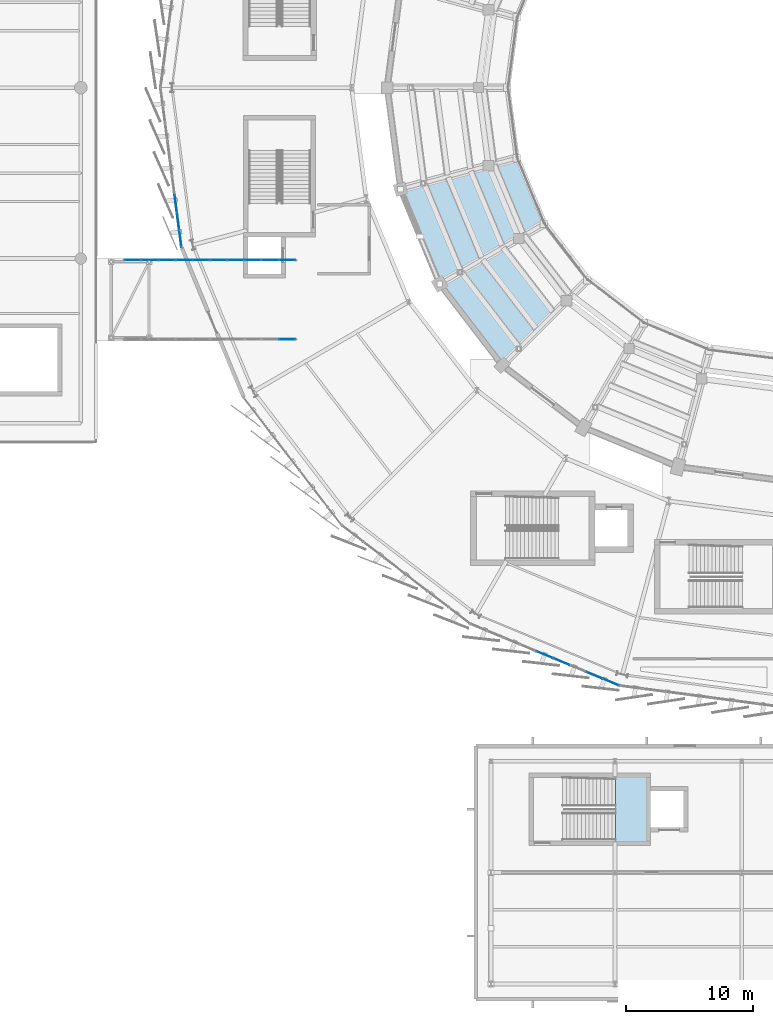
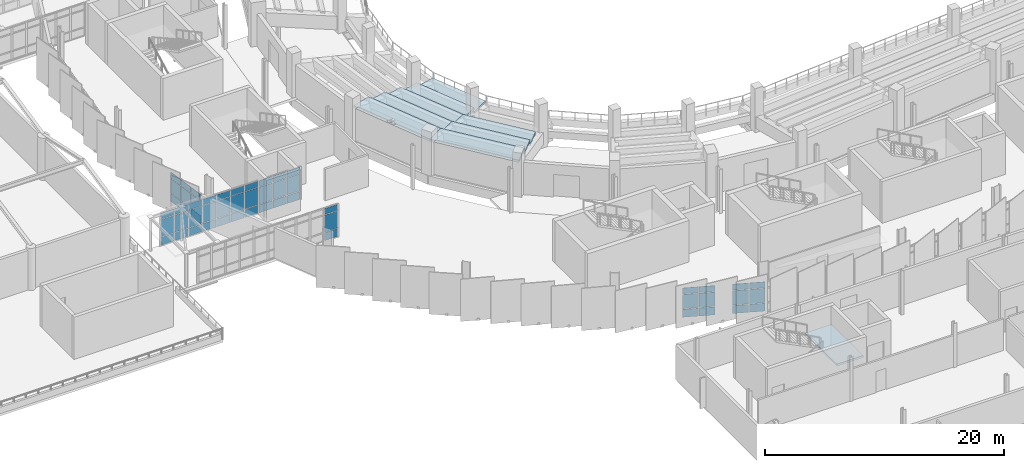
# One storey, part 78 of 120: 54 plates, 9 slabs, 5 elements without a shape of their own.
"""IFC4 building model written with IfcOpenShell, lengths in metres."""

from ifc_helpers import new_model, si_unit, direction, frame, origin, origin_2d, place, context, subcontext, project, spatial, polyline, rectangle, outline, extrude, material, layer, layer_set, type_object, element, aggregate, save


model = new_model("IFC4")

# Units and contexts
model_context = context("Model", 3, precision=1e-05, world=origin(), true_north=direction((0.0, 1.0)))
body_context = subcontext(model_context, "Body", "Model", "MODEL_VIEW")
ifc_project = project(units=[si_unit("LENGTHUNIT", "METRE"), si_unit("AREAUNIT", "SQUARE_METRE"), si_unit("VOLUMEUNIT", "CUBIC_METRE"), si_unit("PLANEANGLEUNIT", "RADIAN"), si_unit("MASSUNIT", "GRAM", prefix="KILO")], contexts=[model_context])

# Site, building, storey
site_placement = place(None, origin())
site = spatial("IfcSite", under=ifc_project, at=site_placement, CompositionType="ELEMENT")
building_placement = place(site_placement, origin())
building = spatial("IfcBuilding", under=site, at=building_placement, Name="Sohan Crest Arena", CompositionType="ELEMENT")
storey_placement = place(building_placement, frame((0.0, 0.0, 13.5)))
storey = spatial("IfcBuildingStorey", under=building, at=storey_placement, Name="L03", CompositionType="ELEMENT", Elevation=13.5)

# Curtain wall, plates
ifc_material_1 = material(Name="Thermally broken anodised aluminium", Category="aluminium")
ifc_layer_1 = layer(ifc_material_1, 0.18994140625, Name="Thermally broken anodised aluminium")
ifc_layer_set_1 = layer_set([ifc_layer_1], Name="Thermally broken anodised aluminium")
curtain_wall_type_1 = type_object("IfcCurtainWallType", Name="ARC-CW05", PredefinedType="NOTDEFINED", material=ifc_layer_set_1)
curtain_wall_1_placement = place(storey_placement, origin())
curtain_wall_1 = element("IfcCurtainWall", 1, at=curtain_wall_1_placement, inside=storey, type_object=curtain_wall_type_1, Name="Unitised curtain wall CW-229", PredefinedType="NOTDEFINED")
ifc_material_2 = material(Name="Low-E double-glazed insulated glass", Category="glass")
ifc_layer_2 = layer(ifc_material_2, 0.028076171875, Name="Low-E double-glazed insulated glass")
ifc_layer_set_2 = layer_set([ifc_layer_2], Name="Low-E double-glazed insulated glass")
plate_type_1 = type_object("IfcPlateType", Name="ARC-CNP01", PredefinedType="CURTAIN_PANEL", material=ifc_layer_set_2)
plate_1_placement = place(storey_placement, frame((59.103759765625, 58.1201171875, 0.06005859375), z_axis=(0.0, 0.0, 1.0), x_axis=(1.0, 0.0, 0.0)))
plate_1 = element("IfcPlate", 2, at=plate_1_placement, type_object=plate_type_1, Name="CW-229 panel 10.1", PredefinedType="CURTAIN_PANEL", context=body_context, shape_type="SweptSolid", body=[
    extrude(rectangle(XDim=1.262451171875, YDim=0.028076171875, at=origin_2d()), origin(), (0.0, 0.0, 1.0), 0.81005859375),
])
plate_2_placement = place(storey_placement, frame((59.103759765625, 58.1201171875, 0.93017578125), z_axis=(0.0, 0.0, 1.0), x_axis=(1.0, 0.0, 0.0)))
plate_2 = element("IfcPlate", 3, at=plate_2_placement, type_object=plate_type_1, Name="CW-229 panel 10.2", PredefinedType="CURTAIN_PANEL", context=body_context, shape_type="SweptSolid", body=[
    extrude(rectangle(XDim=1.262451171875, YDim=0.028076171875, at=origin_2d()), origin(), (0.0, 0.0, 1.0), 1.739990234375),
])
plate_3_placement = place(storey_placement, frame((59.103759765625, 58.1201171875, 2.72998046875), z_axis=(0.0, 0.0, 1.0), x_axis=(1.0, 0.0, 0.0)))
plate_3 = element("IfcPlate", 4, at=plate_3_placement, type_object=plate_type_1, Name="CW-229 panel 10.3", PredefinedType="CURTAIN_PANEL", context=body_context, shape_type="SweptSolid", body=[
    extrude(rectangle(XDim=1.262451171875, YDim=0.028076171875, at=origin_2d()), origin(), (0.0, 0.0, 1.0), 0.610107421875),
])
aggregate(curtain_wall_1, [plate_1, plate_2, plate_3])

curtain_wall_2_placement = place(storey_placement, origin())
curtain_wall_2 = element("IfcCurtainWall", 5, at=curtain_wall_2_placement, inside=storey, type_object=curtain_wall_type_1, Name="Unitised curtain wall CW-230", PredefinedType="NOTDEFINED")
plate_4_placement = place(storey_placement, frame((46.896240234375, 64.3798828125, 0.06005859375), z_axis=(0.0, 0.0, 1.0), x_axis=(1.0, 0.0, 0.0)))
plate_4 = element("IfcPlate", 6, at=plate_4_placement, type_object=plate_type_1, Name="CW-230 panel 1.1", PredefinedType="CURTAIN_PANEL", context=body_context, shape_type="SweptSolid", body=[
    extrude(rectangle(XDim=1.262451171875, YDim=0.028076171875, at=origin_2d()), origin(), (0.0, 0.0, 1.0), 0.81005859375),
])
plate_5_placement = place(storey_placement, frame((46.896240234375, 64.3798828125, 0.93017578125), z_axis=(0.0, 0.0, 1.0), x_axis=(1.0, 0.0, 0.0)))
plate_5 = element("IfcPlate", 7, at=plate_5_placement, type_object=plate_type_1, Name="CW-230 panel 1.2", PredefinedType="CURTAIN_PANEL", context=body_context, shape_type="SweptSolid", body=[
    extrude(rectangle(XDim=1.262451171875, YDim=0.028076171875, at=origin_2d()), origin(), (0.0, 0.0, 1.0), 1.739990234375),
])
plate_6_placement = place(storey_placement, frame((46.896240234375, 64.3798828125, 2.72998046875), z_axis=(0.0, 0.0, 1.0), x_axis=(1.0, 0.0, 0.0)))
plate_6 = element("IfcPlate", 8, at=plate_6_placement, type_object=plate_type_1, Name="CW-230 panel 1.3", PredefinedType="CURTAIN_PANEL", context=body_context, shape_type="SweptSolid", body=[
    extrude(rectangle(XDim=1.262451171875, YDim=0.028076171875, at=origin_2d()), origin(), (0.0, 0.0, 1.0), 0.610107421875),
])
plate_7_placement = place(storey_placement, frame((48.239990234375, 64.3798828125, 0.06005859375), z_axis=(0.0, 0.0, 1.0), x_axis=(1.0, 0.0, 0.0)))
plate_7 = element("IfcPlate", 9, at=plate_7_placement, type_object=plate_type_1, Name="CW-230 panel 2.1", PredefinedType="CURTAIN_PANEL", context=body_context, shape_type="SweptSolid", body=[
    extrude(rectangle(XDim=1.294921875, YDim=0.028076171875, at=origin_2d()), origin(), (0.0, 0.0, 1.0), 0.81005859375),
])
plate_8_placement = place(storey_placement, frame((48.239990234375, 64.3798828125, 0.93017578125), z_axis=(0.0, 0.0, 1.0), x_axis=(1.0, 0.0, 0.0)))
plate_8 = element("IfcPlate", 10, at=plate_8_placement, type_object=plate_type_1, Name="CW-230 panel 2.2", PredefinedType="CURTAIN_PANEL", context=body_context, shape_type="SweptSolid", body=[
    extrude(rectangle(XDim=1.294921875, YDim=0.028076171875, at=origin_2d()), origin(), (0.0, 0.0, 1.0), 1.739990234375),
])
plate_9_placement = place(storey_placement, frame((48.239990234375, 64.3798828125, 2.72998046875), z_axis=(0.0, 0.0, 1.0), x_axis=(1.0, 0.0, 0.0)))
plate_9 = element("IfcPlate", 11, at=plate_9_placement, type_object=plate_type_1, Name="CW-230 panel 2.3", PredefinedType="CURTAIN_PANEL", context=body_context, shape_type="SweptSolid", body=[
    extrude(rectangle(XDim=1.294921875, YDim=0.028076171875, at=origin_2d()), origin(), (0.0, 0.0, 1.0), 0.610107421875),
])
plate_10_placement = place(storey_placement, frame((49.60009765625, 64.3798828125, 0.06005859375), z_axis=(0.0, 0.0, 1.0), x_axis=(1.0, 0.0, 0.0)))
plate_10 = element("IfcPlate", 12, at=plate_10_placement, type_object=plate_type_1, Name="CW-230 panel 3.1", PredefinedType="CURTAIN_PANEL", context=body_context, shape_type="SweptSolid", body=[
    extrude(rectangle(XDim=1.294921875, YDim=0.028076171875, at=origin_2d()), origin(), (0.0, 0.0, 1.0), 0.81005859375),
])
plate_11_placement = place(storey_placement, frame((49.60009765625, 64.3798828125, 0.93017578125), z_axis=(0.0, 0.0, 1.0), x_axis=(1.0, 0.0, 0.0)))
plate_11 = element("IfcPlate", 13, at=plate_11_placement, type_object=plate_type_1, Name="CW-230 panel 3.2", PredefinedType="CURTAIN_PANEL", context=body_context, shape_type="SweptSolid", body=[
    extrude(rectangle(XDim=1.294921875, YDim=0.028076171875, at=origin_2d()), origin(), (0.0, 0.0, 1.0), 1.739990234375),
])
plate_12_placement = place(storey_placement, frame((49.60009765625, 64.3798828125, 2.72998046875), z_axis=(0.0, 0.0, 1.0), x_axis=(1.0, 0.0, 0.0)))
plate_12 = element("IfcPlate", 14, at=plate_12_placement, type_object=plate_type_1, Name="CW-230 panel 3.3", PredefinedType="CURTAIN_PANEL", context=body_context, shape_type="SweptSolid", body=[
    extrude(rectangle(XDim=1.294921875, YDim=0.028076171875, at=origin_2d()), origin(), (0.0, 0.0, 1.0), 0.610107421875),
])
plate_13_placement = place(storey_placement, frame((50.9599609375, 64.3798828125, 0.06005859375), z_axis=(0.0, 0.0, 1.0), x_axis=(1.0, 0.0, 0.0)))
plate_13 = element("IfcPlate", 15, at=plate_13_placement, type_object=plate_type_1, Name="CW-230 panel 4.1", PredefinedType="CURTAIN_PANEL", context=body_context, shape_type="SweptSolid", body=[
    extrude(rectangle(XDim=1.294921875, YDim=0.028076171875, at=origin_2d()), origin(), (0.0, 0.0, 1.0), 0.81005859375),
])
plate_14_placement = place(storey_placement, frame((50.9599609375, 64.3798828125, 0.93017578125), z_axis=(0.0, 0.0, 1.0), x_axis=(1.0, 0.0, 0.0)))
plate_14 = element("IfcPlate", 16, at=plate_14_placement, type_object=plate_type_1, Name="CW-230 panel 4.2", PredefinedType="CURTAIN_PANEL", context=body_context, shape_type="SweptSolid", body=[
    extrude(rectangle(XDim=1.294921875, YDim=0.028076171875, at=origin_2d()), origin(), (0.0, 0.0, 1.0), 1.739990234375),
])
plate_15_placement = place(storey_placement, frame((50.9599609375, 64.3798828125, 2.72998046875), z_axis=(0.0, 0.0, 1.0), x_axis=(1.0, 0.0, 0.0)))
plate_15 = element("IfcPlate", 17, at=plate_15_placement, type_object=plate_type_1, Name="CW-230 panel 4.3", PredefinedType="CURTAIN_PANEL", context=body_context, shape_type="SweptSolid", body=[
    extrude(rectangle(XDim=1.294921875, YDim=0.028076171875, at=origin_2d()), origin(), (0.0, 0.0, 1.0), 0.610107421875),
])
plate_16_placement = place(storey_placement, frame((52.320068359375, 64.3798828125, 0.06005859375), z_axis=(0.0, 0.0, 1.0), x_axis=(1.0, 0.0, 0.0)))
plate_16 = element("IfcPlate", 18, at=plate_16_placement, type_object=plate_type_1, Name="CW-230 panel 5.1", PredefinedType="CURTAIN_PANEL", context=body_context, shape_type="SweptSolid", body=[
    extrude(rectangle(XDim=1.294921875, YDim=0.028076171875, at=origin_2d()), origin(), (0.0, 0.0, 1.0), 0.81005859375),
])
plate_17_placement = place(storey_placement, frame((52.320068359375, 64.3798828125, 0.93017578125), z_axis=(0.0, 0.0, 1.0), x_axis=(1.0, 0.0, 0.0)))
plate_17 = element("IfcPlate", 19, at=plate_17_placement, type_object=plate_type_1, Name="CW-230 panel 5.2", PredefinedType="CURTAIN_PANEL", context=body_context, shape_type="SweptSolid", body=[
    extrude(rectangle(XDim=1.294921875, YDim=0.028076171875, at=origin_2d()), origin(), (0.0, 0.0, 1.0), 1.739990234375),
])
plate_18_placement = place(storey_placement, frame((52.320068359375, 64.3798828125, 2.72998046875), z_axis=(0.0, 0.0, 1.0), x_axis=(1.0, 0.0, 0.0)))
plate_18 = element("IfcPlate", 20, at=plate_18_placement, type_object=plate_type_1, Name="CW-230 panel 5.3", PredefinedType="CURTAIN_PANEL", context=body_context, shape_type="SweptSolid", body=[
    extrude(rectangle(XDim=1.294921875, YDim=0.028076171875, at=origin_2d()), origin(), (0.0, 0.0, 1.0), 0.610107421875),
])
plate_19_placement = place(storey_placement, frame((53.679931640625, 64.3798828125, 0.06005859375), z_axis=(0.0, 0.0, 1.0), x_axis=(1.0, 0.0, 0.0)))
plate_19 = element("IfcPlate", 21, at=plate_19_placement, type_object=plate_type_1, Name="CW-230 panel 6.1", PredefinedType="CURTAIN_PANEL", context=body_context, shape_type="SweptSolid", body=[
    extrude(rectangle(XDim=1.294921875, YDim=0.028076171875, at=origin_2d()), origin(), (0.0, 0.0, 1.0), 0.81005859375),
])
plate_20_placement = place(storey_placement, frame((53.679931640625, 64.3798828125, 0.93017578125), z_axis=(0.0, 0.0, 1.0), x_axis=(1.0, 0.0, 0.0)))
plate_20 = element("IfcPlate", 22, at=plate_20_placement, type_object=plate_type_1, Name="CW-230 panel 6.2", PredefinedType="CURTAIN_PANEL", context=body_context, shape_type="SweptSolid", body=[
    extrude(rectangle(XDim=1.294921875, YDim=0.028076171875, at=origin_2d()), origin(), (0.0, 0.0, 1.0), 1.739990234375),
])
plate_21_placement = place(storey_placement, frame((53.679931640625, 64.3798828125, 2.72998046875), z_axis=(0.0, 0.0, 1.0), x_axis=(1.0, 0.0, 0.0)))
plate_21 = element("IfcPlate", 23, at=plate_21_placement, type_object=plate_type_1, Name="CW-230 panel 6.3", PredefinedType="CURTAIN_PANEL", context=body_context, shape_type="SweptSolid", body=[
    extrude(rectangle(XDim=1.294921875, YDim=0.028076171875, at=origin_2d()), origin(), (0.0, 0.0, 1.0), 0.610107421875),
])
plate_22_placement = place(storey_placement, frame((55.0400390625, 64.3798828125, 0.06005859375), z_axis=(0.0, 0.0, 1.0), x_axis=(1.0, 0.0, 0.0)))
plate_22 = element("IfcPlate", 24, at=plate_22_placement, type_object=plate_type_1, Name="CW-230 panel 7.1", PredefinedType="CURTAIN_PANEL", context=body_context, shape_type="SweptSolid", body=[
    extrude(rectangle(XDim=1.294921875, YDim=0.028076171875, at=origin_2d()), origin(), (0.0, 0.0, 1.0), 0.81005859375),
])
plate_23_placement = place(storey_placement, frame((55.0400390625, 64.3798828125, 0.93017578125), z_axis=(0.0, 0.0, 1.0), x_axis=(1.0, 0.0, 0.0)))
plate_23 = element("IfcPlate", 25, at=plate_23_placement, type_object=plate_type_1, Name="CW-230 panel 7.2", PredefinedType="CURTAIN_PANEL", context=body_context, shape_type="SweptSolid", body=[
    extrude(rectangle(XDim=1.294921875, YDim=0.028076171875, at=origin_2d()), origin(), (0.0, 0.0, 1.0), 1.739990234375),
])
plate_24_placement = place(storey_placement, frame((55.0400390625, 64.3798828125, 2.72998046875), z_axis=(0.0, 0.0, 1.0), x_axis=(1.0, 0.0, 0.0)))
plate_24 = element("IfcPlate", 26, at=plate_24_placement, type_object=plate_type_1, Name="CW-230 panel 7.3", PredefinedType="CURTAIN_PANEL", context=body_context, shape_type="SweptSolid", body=[
    extrude(rectangle(XDim=1.294921875, YDim=0.028076171875, at=origin_2d()), origin(), (0.0, 0.0, 1.0), 0.610107421875),
])
plate_25_placement = place(storey_placement, frame((56.39990234375, 64.3798828125, 0.06005859375), z_axis=(0.0, 0.0, 1.0), x_axis=(1.0, 0.0, 0.0)))
plate_25 = element("IfcPlate", 27, at=plate_25_placement, type_object=plate_type_1, Name="CW-230 panel 8.1", PredefinedType="CURTAIN_PANEL", context=body_context, shape_type="SweptSolid", body=[
    extrude(rectangle(XDim=1.294921875, YDim=0.028076171875, at=origin_2d()), origin(), (0.0, 0.0, 1.0), 0.81005859375),
])
plate_26_placement = place(storey_placement, frame((56.39990234375, 64.3798828125, 0.93017578125), z_axis=(0.0, 0.0, 1.0), x_axis=(1.0, 0.0, 0.0)))
plate_26 = element("IfcPlate", 28, at=plate_26_placement, type_object=plate_type_1, Name="CW-230 panel 8.2", PredefinedType="CURTAIN_PANEL", context=body_context, shape_type="SweptSolid", body=[
    extrude(rectangle(XDim=1.294921875, YDim=0.028076171875, at=origin_2d()), origin(), (0.0, 0.0, 1.0), 1.739990234375),
])
plate_27_placement = place(storey_placement, frame((56.39990234375, 64.3798828125, 2.72998046875), z_axis=(0.0, 0.0, 1.0), x_axis=(1.0, 0.0, 0.0)))
plate_27 = element("IfcPlate", 29, at=plate_27_placement, type_object=plate_type_1, Name="CW-230 panel 8.3", PredefinedType="CURTAIN_PANEL", context=body_context, shape_type="SweptSolid", body=[
    extrude(rectangle(XDim=1.294921875, YDim=0.028076171875, at=origin_2d()), origin(), (0.0, 0.0, 1.0), 0.610107421875),
])
plate_28_placement = place(storey_placement, frame((57.760009765625, 64.3798828125, 0.06005859375), z_axis=(0.0, 0.0, 1.0), x_axis=(1.0, 0.0, 0.0)))
plate_28 = element("IfcPlate", 30, at=plate_28_placement, type_object=plate_type_1, Name="CW-230 panel 9.1", PredefinedType="CURTAIN_PANEL", context=body_context, shape_type="SweptSolid", body=[
    extrude(rectangle(XDim=1.294921875, YDim=0.028076171875, at=origin_2d()), origin(), (0.0, 0.0, 1.0), 0.81005859375),
])
plate_29_placement = place(storey_placement, frame((57.760009765625, 64.3798828125, 0.93017578125), z_axis=(0.0, 0.0, 1.0), x_axis=(1.0, 0.0, 0.0)))
plate_29 = element("IfcPlate", 31, at=plate_29_placement, type_object=plate_type_1, Name="CW-230 panel 9.2", PredefinedType="CURTAIN_PANEL", context=body_context, shape_type="SweptSolid", body=[
    extrude(rectangle(XDim=1.294921875, YDim=0.028076171875, at=origin_2d()), origin(), (0.0, 0.0, 1.0), 1.739990234375),
])
plate_30_placement = place(storey_placement, frame((57.760009765625, 64.3798828125, 2.72998046875), z_axis=(0.0, 0.0, 1.0), x_axis=(1.0, 0.0, 0.0)))
plate_30 = element("IfcPlate", 32, at=plate_30_placement, type_object=plate_type_1, Name="CW-230 panel 9.3", PredefinedType="CURTAIN_PANEL", context=body_context, shape_type="SweptSolid", body=[
    extrude(rectangle(XDim=1.294921875, YDim=0.028076171875, at=origin_2d()), origin(), (0.0, 0.0, 1.0), 0.610107421875),
])
plate_31_placement = place(storey_placement, frame((59.103759765625, 64.3798828125, 0.06005859375), z_axis=(0.0, 0.0, 1.0), x_axis=(1.0, 0.0, 0.0)))
plate_31 = element("IfcPlate", 33, at=plate_31_placement, type_object=plate_type_1, Name="CW-230 panel 10.1", PredefinedType="CURTAIN_PANEL", context=body_context, shape_type="SweptSolid", body=[
    extrude(rectangle(XDim=1.262451171875, YDim=0.028076171875, at=origin_2d()), origin(), (0.0, 0.0, 1.0), 0.81005859375),
])
plate_32_placement = place(storey_placement, frame((59.103759765625, 64.3798828125, 0.93017578125), z_axis=(0.0, 0.0, 1.0), x_axis=(1.0, 0.0, 0.0)))
plate_32 = element("IfcPlate", 34, at=plate_32_placement, type_object=plate_type_1, Name="CW-230 panel 10.2", PredefinedType="CURTAIN_PANEL", context=body_context, shape_type="SweptSolid", body=[
    extrude(rectangle(XDim=1.262451171875, YDim=0.028076171875, at=origin_2d()), origin(), (0.0, 0.0, 1.0), 1.739990234375),
])
plate_33_placement = place(storey_placement, frame((59.103759765625, 64.3798828125, 2.72998046875), z_axis=(0.0, 0.0, 1.0), x_axis=(1.0, 0.0, 0.0)))
plate_33 = element("IfcPlate", 35, at=plate_33_placement, type_object=plate_type_1, Name="CW-230 panel 10.3", PredefinedType="CURTAIN_PANEL", context=body_context, shape_type="SweptSolid", body=[
    extrude(rectangle(XDim=1.262451171875, YDim=0.028076171875, at=origin_2d()), origin(), (0.0, 0.0, 1.0), 0.610107421875),
])
aggregate(curtain_wall_2, [plate_4, plate_5, plate_6, plate_7, plate_8, plate_9, plate_10, plate_11, plate_12, plate_13, plate_14, plate_15, plate_16, plate_17, plate_18, plate_19, plate_20, plate_21, plate_22, plate_23, plate_24, plate_25, plate_26, plate_27, plate_28, plate_29, plate_30, plate_31, plate_32, plate_33])

ifc_layer_3 = layer(ifc_material_1, 0.179931640625, Name="Thermally broken anodised aluminium")
ifc_layer_set_3 = layer_set([ifc_layer_3], Name="Thermally broken anodised aluminium")
curtain_wall_type_2 = type_object("IfcCurtainWallType", Name="ARC-CW01", PredefinedType="NOTDEFINED", material=ifc_layer_set_3)
curtain_wall_3_placement = place(storey_placement, origin())
curtain_wall_3 = element("IfcCurtainWall", 36, at=curtain_wall_3_placement, inside=storey, type_object=curtain_wall_type_2, Name="Unitised curtain wall CW-085", PredefinedType="NOTDEFINED")
ifc_material_3 = material(Name="Ceramic-fritted solar-control insulated glass", Category="glass")
ifc_layer_4 = layer(ifc_material_3, 0.035888671875, Name="Ceramic-fritted solar-control insulated glass")
ifc_layer_set_4 = layer_set([ifc_layer_4], Name="Ceramic-fritted solar-control insulated glass")
plate_type_2 = type_object("IfcPlateType", Name="ARC-CNP03", PredefinedType="CURTAIN_PANEL", material=ifc_layer_set_4)
plate_34_placement = place(storey_placement, frame((50.30322265625, 68.859619140625, 0.06005859375), z_axis=(0.0, 0.0, 1.0), x_axis=(0.130511252817, -0.991446828069, 0.0)))
plate_34 = element("IfcPlate", 37, at=plate_34_placement, type_object=plate_type_2, Name="CW-085 panel 7.1", PredefinedType="CURTAIN_PANEL", context=body_context, shape_type="SweptSolid", body=[
    extrude(rectangle(XDim=1.348388671875, YDim=0.035888671875, at=origin_2d()), origin(), (0.0, 0.0, 1.0), 0.81005859375),
])
plate_35_placement = place(storey_placement, frame((50.30322265625, 68.859619140625, 0.929931640625), z_axis=(0.0, 0.0, 1.0), x_axis=(0.130511252817, -0.991446828069, 0.0)))
plate_35 = element("IfcPlate", 38, at=plate_35_placement, type_object=plate_type_2, Name="CW-085 panel 7.2", PredefinedType="CURTAIN_PANEL", context=body_context, shape_type="SweptSolid", body=[
    extrude(rectangle(XDim=1.348388671875, YDim=0.035888671875, at=origin_2d()), origin(), (0.0, 0.0, 1.0), 1.4599609375),
])
plate_36_placement = place(storey_placement, frame((50.30322265625, 68.859619140625, 2.44970703125), z_axis=(0.0, 0.0, 1.0), x_axis=(0.130511252817, -0.991446828069, 0.0)))
plate_36 = element("IfcPlate", 39, at=plate_36_placement, type_object=plate_type_2, Name="CW-085 panel 7.3", PredefinedType="CURTAIN_PANEL", context=body_context, shape_type="SweptSolid", body=[
    extrude(rectangle(XDim=1.348388671875, YDim=0.035888671875, at=origin_2d()), origin(), (0.0, 0.0, 1.0), 0.610107421875),
])
plate_37_placement = place(storey_placement, frame((50.48828125, 67.453369140625, 0.06005859375), z_axis=(0.0, 0.0, 1.0), x_axis=(0.130511252817, -0.991446828069, 0.0)))
plate_37 = element("IfcPlate", 40, at=plate_37_placement, type_object=plate_type_2, Name="CW-085 panel 8.1", PredefinedType="CURTAIN_PANEL", context=body_context, shape_type="SweptSolid", body=[
    extrude(rectangle(XDim=1.348388671875, YDim=0.035888671875, at=origin_2d()), origin(), (0.0, 0.0, 1.0), 0.81005859375),
])
plate_38_placement = place(storey_placement, frame((50.48828125, 67.453369140625, 0.929931640625), z_axis=(0.0, 0.0, 1.0), x_axis=(0.130511252817, -0.991446828069, 0.0)))
plate_38 = element("IfcPlate", 41, at=plate_38_placement, type_object=plate_type_2, Name="CW-085 panel 8.2", PredefinedType="CURTAIN_PANEL", context=body_context, shape_type="SweptSolid", body=[
    extrude(rectangle(XDim=1.348388671875, YDim=0.035888671875, at=origin_2d()), origin(), (0.0, 0.0, 1.0), 1.4599609375),
])
plate_39_placement = place(storey_placement, frame((50.48828125, 67.453369140625, 2.44970703125), z_axis=(0.0, 0.0, 1.0), x_axis=(0.130511252817, -0.991446828069, 0.0)))
plate_39 = element("IfcPlate", 42, at=plate_39_placement, type_object=plate_type_2, Name="CW-085 panel 8.3", PredefinedType="CURTAIN_PANEL", context=body_context, shape_type="SweptSolid", body=[
    extrude(rectangle(XDim=1.348388671875, YDim=0.035888671875, at=origin_2d()), origin(), (0.0, 0.0, 1.0), 0.610107421875),
])
plate_40_placement = place(storey_placement, frame((50.671142578125, 66.064453125, 0.06005859375), z_axis=(0.0, 0.0, 1.0), x_axis=(0.130511252817, -0.991446828069, 0.0)))
plate_40 = element("IfcPlate", 43, at=plate_40_placement, type_object=plate_type_2, Name="CW-085 panel 9.1", PredefinedType="CURTAIN_PANEL", context=body_context, shape_type="SweptSolid", body=[
    extrude(rectangle(XDim=1.313232421875, YDim=0.035888671875, at=origin_2d()), origin(), (0.0, 0.0, 1.0), 0.81005859375),
])
plate_41_placement = place(storey_placement, frame((50.671142578125, 66.064453125, 0.929931640625), z_axis=(0.0, 0.0, 1.0), x_axis=(0.130511252817, -0.991446828069, 0.0)))
plate_41 = element("IfcPlate", 44, at=plate_41_placement, type_object=plate_type_2, Name="CW-085 panel 9.2", PredefinedType="CURTAIN_PANEL", context=body_context, shape_type="SweptSolid", body=[
    extrude(rectangle(XDim=1.313232421875, YDim=0.035888671875, at=origin_2d()), origin(), (0.0, 0.0, 1.0), 1.4599609375),
])
plate_42_placement = place(storey_placement, frame((50.671142578125, 66.064453125, 2.44970703125), z_axis=(0.0, 0.0, 1.0), x_axis=(0.130511252817, -0.991446828069, 0.0)))
plate_42 = element("IfcPlate", 45, at=plate_42_placement, type_object=plate_type_2, Name="CW-085 panel 9.3", PredefinedType="CURTAIN_PANEL", context=body_context, shape_type="SweptSolid", body=[
    extrude(rectangle(XDim=1.313232421875, YDim=0.035888671875, at=origin_2d()), origin(), (0.0, 0.0, 1.0), 0.610107421875),
])
aggregate(curtain_wall_3, [plate_34, plate_35, plate_36, plate_37, plate_38, plate_39, plate_40, plate_41, plate_42])

curtain_wall_4_placement = place(storey_placement, origin())
curtain_wall_4 = element("IfcCurtainWall", 46, at=curtain_wall_4_placement, inside=storey, type_object=curtain_wall_type_1, Name="Unitised curtain wall CW-088", PredefinedType="NOTDEFINED")
plate_43_placement = place(storey_placement, frame((79.447021484375, 33.20849609375, 0.06494140625), z_axis=(0.0, 0.0, 1.0), x_axis=(0.923886034074, -0.382667735827, 0.0)))
plate_43 = element("IfcPlate", 47, at=plate_43_placement, type_object=plate_type_2, Name="CW-088 panel 5.1", PredefinedType="CURTAIN_PANEL", context=body_context, shape_type="SweptSolid", body=[
    extrude(rectangle(XDim=1.348388671875, YDim=0.035888671875, at=origin_2d()), origin(), (0.0, 0.0, 1.0), 0.802490234375),
])
plate_44_placement = place(storey_placement, frame((79.447021484375, 33.20849609375, 0.932373046875), z_axis=(0.0, 0.0, 1.0), x_axis=(0.923886034074, -0.382667735827, 0.0)))
plate_44 = element("IfcPlate", 48, at=plate_44_placement, type_object=plate_type_2, Name="CW-088 panel 5.2", PredefinedType="CURTAIN_PANEL", context=body_context, shape_type="SweptSolid", body=[
    extrude(rectangle(XDim=1.348388671875, YDim=0.035888671875, at=origin_2d()), origin(), (0.0, 0.0, 1.0), 1.455078125),
])
plate_45_placement = place(storey_placement, frame((79.447021484375, 33.20849609375, 2.452392578125), z_axis=(0.0, 0.0, 1.0), x_axis=(0.923886034074, -0.382667735827, 0.0)))
plate_45 = element("IfcPlate", 49, at=plate_45_placement, type_object=plate_type_2, Name="CW-088 panel 5.3", PredefinedType="CURTAIN_PANEL", context=body_context, shape_type="SweptSolid", body=[
    extrude(rectangle(XDim=1.348388671875, YDim=0.035888671875, at=origin_2d()), origin(), (0.0, 0.0, 1.0), 0.6025390625),
])
plate_46_placement = place(storey_placement, frame((80.75732421875, 32.665771484375, 0.06494140625), z_axis=(0.0, 0.0, 1.0), x_axis=(0.923886034074, -0.382667735827, 0.0)))
plate_46 = element("IfcPlate", 50, at=plate_46_placement, type_object=plate_type_2, Name="CW-088 panel 6.1", PredefinedType="CURTAIN_PANEL", context=body_context, shape_type="SweptSolid", body=[
    extrude(rectangle(XDim=1.348388671875, YDim=0.035888671875, at=origin_2d()), origin(), (0.0, 0.0, 1.0), 0.802490234375),
])
plate_47_placement = place(storey_placement, frame((80.75732421875, 32.665771484375, 0.932373046875), z_axis=(0.0, 0.0, 1.0), x_axis=(0.923886034074, -0.382667735827, 0.0)))
plate_47 = element("IfcPlate", 51, at=plate_47_placement, type_object=plate_type_2, Name="CW-088 panel 6.2", PredefinedType="CURTAIN_PANEL", context=body_context, shape_type="SweptSolid", body=[
    extrude(rectangle(XDim=1.348388671875, YDim=0.035888671875, at=origin_2d()), origin(), (0.0, 0.0, 1.0), 1.455078125),
])
plate_48_placement = place(storey_placement, frame((80.75732421875, 32.665771484375, 2.452392578125), z_axis=(0.0, 0.0, 1.0), x_axis=(0.923886034074, -0.382667735827, 0.0)))
plate_48 = element("IfcPlate", 52, at=plate_48_placement, type_object=plate_type_2, Name="CW-088 panel 6.3", PredefinedType="CURTAIN_PANEL", context=body_context, shape_type="SweptSolid", body=[
    extrude(rectangle(XDim=1.348388671875, YDim=0.035888671875, at=origin_2d()), origin(), (0.0, 0.0, 1.0), 0.6025390625),
])
plate_49_placement = place(storey_placement, frame((83.37841796875, 31.580078125, 0.06494140625), z_axis=(0.0, 0.0, 1.0), x_axis=(0.923886034074, -0.382667735827, 0.0)))
plate_49 = element("IfcPlate", 53, at=plate_49_placement, type_object=plate_type_2, Name="CW-088 panel 8.1", PredefinedType="CURTAIN_PANEL", context=body_context, shape_type="SweptSolid", body=[
    extrude(rectangle(XDim=1.348388671875, YDim=0.035888671875, at=origin_2d()), origin(), (0.0, 0.0, 1.0), 0.802490234375),
])
plate_50_placement = place(storey_placement, frame((83.37841796875, 31.580078125, 0.932373046875), z_axis=(0.0, 0.0, 1.0), x_axis=(0.923886034074, -0.382667735827, 0.0)))
plate_50 = element("IfcPlate", 54, at=plate_50_placement, type_object=plate_type_2, Name="CW-088 panel 8.2", PredefinedType="CURTAIN_PANEL", context=body_context, shape_type="SweptSolid", body=[
    extrude(rectangle(XDim=1.348388671875, YDim=0.035888671875, at=origin_2d()), origin(), (0.0, 0.0, 1.0), 1.455078125),
])
plate_51_placement = place(storey_placement, frame((83.37841796875, 31.580078125, 2.452392578125), z_axis=(0.0, 0.0, 1.0), x_axis=(0.923886034074, -0.382667735827, 0.0)))
plate_51 = element("IfcPlate", 55, at=plate_51_placement, type_object=plate_type_2, Name="CW-088 panel 8.3", PredefinedType="CURTAIN_PANEL", context=body_context, shape_type="SweptSolid", body=[
    extrude(rectangle(XDim=1.348388671875, YDim=0.035888671875, at=origin_2d()), origin(), (0.0, 0.0, 1.0), 0.6025390625),
])
plate_52_placement = place(storey_placement, frame((84.672607421875, 31.044189453125, 0.06494140625), z_axis=(0.0, 0.0, 1.0), x_axis=(0.923886034074, -0.382667735827, 0.0)))
plate_52 = element("IfcPlate", 56, at=plate_52_placement, type_object=plate_type_2, Name="CW-088 panel 9.1", PredefinedType="CURTAIN_PANEL", context=body_context, shape_type="SweptSolid", body=[
    extrude(rectangle(XDim=1.3134765625, YDim=0.035888671875, at=origin_2d()), origin(), (0.0, 0.0, 1.0), 0.802490234375),
])
plate_53_placement = place(storey_placement, frame((84.672607421875, 31.044189453125, 0.932373046875), z_axis=(0.0, 0.0, 1.0), x_axis=(0.923886034074, -0.382667735827, 0.0)))
plate_53 = element("IfcPlate", 57, at=plate_53_placement, type_object=plate_type_2, Name="CW-088 panel 9.2", PredefinedType="CURTAIN_PANEL", context=body_context, shape_type="SweptSolid", body=[
    extrude(rectangle(XDim=1.3134765625, YDim=0.035888671875, at=origin_2d()), origin(), (0.0, 0.0, 1.0), 1.455078125),
])
plate_54_placement = place(storey_placement, frame((84.672607421875, 31.044189453125, 2.452392578125), z_axis=(0.0, 0.0, 1.0), x_axis=(0.923886034074, -0.382667735827, 0.0)))
plate_54 = element("IfcPlate", 58, at=plate_54_placement, type_object=plate_type_2, Name="CW-088 panel 9.3", PredefinedType="CURTAIN_PANEL", context=body_context, shape_type="SweptSolid", body=[
    extrude(rectangle(XDim=1.3134765625, YDim=0.035888671875, at=origin_2d()), origin(), (0.0, 0.0, 1.0), 0.6025390625),
])
aggregate(curtain_wall_4, [plate_43, plate_44, plate_45, plate_46, plate_47, plate_48, plate_49, plate_50, plate_51, plate_52, plate_53, plate_54])

# Stair, slab
ifc_material_4 = material(Name="Concrete C40/50", Category="concrete")
stair_type = type_object("IfcStairType", Name="ST-450W", PredefinedType="TWO_STRAIGHT_RUN_STAIR", material=ifc_material_4)
stair_placement = place(storey_placement, origin())
stair = element("IfcStair", 59, at=stair_placement, inside=storey, type_object=stair_type, Name="Protected exit stair ST17-L03", PredefinedType="TWO_STRAIGHT_RUN_STAIR")
ifc_layer_5 = layer(ifc_material_4, 0.199951171875, Name="Concrete C40/50")
ifc_layer_set_5 = layer_set([ifc_layer_5], Name="Concrete C40/50")
slab_type_1 = type_object("IfcSlabType", Name="SL-LND1", PredefinedType="LANDING", material=ifc_layer_set_5)
slab_1_placement = place(storey_placement, frame((0.0, 0.0, 2.050048828125)))
slab_1 = element("IfcSlab", 60, at=slab_1_placement, type_object=slab_type_1, Name="ST17-L03 landing 1", PredefinedType="LANDING", context=body_context, shape_type="SweptSolid", body=[
    extrude(outline(polyline([(85.030029296875, 18.35009765625), (87.60009765625, 18.35009765625), (87.60009765625, 23.64990234375), (85.030029296875, 23.64990234375), (85.030029296875, 18.35009765625)])), origin(), (0.0, 0.0, 1.0), 0.199951171875),
])
aggregate(stair, [slab_1])

# Slabs
ifc_material_5 = material(Name="Precast concrete C50/60", Category="concrete")
ifc_layer_6 = layer(ifc_material_5, 0.205078125, Name="Precast concrete C50/60")
ifc_layer_set_6 = layer_set([ifc_layer_6], Name="Precast concrete C50/60")
slab_type_2 = type_object("IfcSlabType", Name="SL-TIER2", PredefinedType="USERDEFINED", material=ifc_layer_set_6)
slab_2_placement = place(storey_placement, frame((0.0, 0.0, 1.2109375)))
element("IfcSlab", 61, at=slab_2_placement, inside=storey, type_object=slab_type_2, Name="Upper cantilevered precast seating tier ST-UPP-064", ObjectType="SEATING TIER", PredefinedType="USERDEFINED", context=body_context, shape_type="SweptSolid", body=[
    extrude(outline(polyline([(77.23291015625, 72.512939453125), (79.381103515625, 67.39990234375), (77.801025390625, 66.458984375), (75.470947265625, 72.02587890625), (77.23291015625, 72.512939453125)])), origin(), (0.0, 0.0, 1.0), 0.205078125),
])
slab_3_placement = place(storey_placement, frame((0.0, 0.0, 1.6708984375)))
element("IfcSlab", 62, at=slab_3_placement, inside=storey, type_object=slab_type_2, Name="Upper cantilevered precast seating tier ST-UPP-065", ObjectType="SEATING TIER", PredefinedType="USERDEFINED", context=body_context, shape_type="SweptSolid", body=[
    extrude(outline(polyline([(75.39697265625, 72.006103515625), (77.735107421875, 66.419921875), (76.156005859375, 65.47900390625), (73.635009765625, 71.51904296875), (75.39697265625, 72.006103515625)])), origin(), (0.0, 0.0, 1.0), 0.205078125),
])
ifc_layer_7 = layer(ifc_material_5, 0.235107421875, Name="Precast concrete C50/60")
ifc_layer_set_7 = layer_set([ifc_layer_7], Name="Precast concrete C50/60")
slab_type_3 = type_object("IfcSlabType", Name="SL-TIER3", PredefinedType="USERDEFINED", material=ifc_layer_set_7)
slab_4_placement = place(storey_placement, frame((0.0, 0.0, 2.131103515625)))
element("IfcSlab", 63, at=slab_4_placement, inside=storey, type_object=slab_type_3, Name="Upper cantilevered precast seating tier ST-UPP-066", ObjectType="SEATING TIER", PredefinedType="USERDEFINED", context=body_context, shape_type="SweptSolid", body=[
    extrude(outline(polyline([(73.56201171875, 71.4990234375), (76.090087890625, 65.43994140625), (74.510009765625, 64.4990234375), (71.800048828125, 71.011962890625), (73.56201171875, 71.4990234375)])), origin(), (0.0, 0.0, 1.0), 0.23486328125),
])
slab_5_placement = place(storey_placement, frame((0.0, 0.0, 2.591064453125)))
element("IfcSlab", 64, at=slab_5_placement, inside=storey, type_object=slab_type_3, Name="Upper cantilevered precast seating tier ST-UPP-067", ObjectType="SEATING TIER", PredefinedType="USERDEFINED", context=body_context, shape_type="SweptSolid", body=[
    extrude(outline(polyline([(71.72705078125, 70.990966796875), (74.444091796875, 64.4599609375), (72.864013671875, 63.51904296875), (69.965087890625, 70.50390625), (71.72705078125, 70.990966796875)])), origin(), (0.0, 0.0, 1.0), 0.23486328125),
])
slab_6_placement = place(storey_placement, frame((0.0, 0.0, 3.051025390625)))
element("IfcSlab", 65, at=slab_6_placement, inside=storey, type_object=slab_type_3, Name="Upper cantilevered precast seating tier ST-UPP-068", ObjectType="SEATING TIER", PredefinedType="USERDEFINED", context=body_context, shape_type="SweptSolid", body=[
    extrude(outline(polyline([(69.89111328125, 70.48388671875), (72.799072265625, 63.47998046875), (71.218994140625, 62.5390625), (68.12890625, 69.9970703125), (69.89111328125, 70.48388671875)])), origin(), (0.0, 0.0, 1.0), 0.23486328125),
])
slab_7_placement = place(storey_placement, frame((0.0, 0.0, 2.131103515625)))
element("IfcSlab", 66, at=slab_7_placement, inside=storey, type_object=slab_type_3, Name="Upper cantilevered precast seating tier ST-UPP-076", ObjectType="SEATING TIER", PredefinedType="USERDEFINED", context=body_context, shape_type="SweptSolid", body=[
    extrude(outline(polyline([(76.090087890625, 65.43994140625), (80.110107421875, 60.238037109375), (78.821044921875, 58.906982421875), (74.510009765625, 64.4990234375), (76.090087890625, 65.43994140625)])), origin(), (0.0, 0.0, 1.0), 0.23486328125),
])
slab_8_placement = place(storey_placement, frame((0.0, 0.0, 2.591064453125)))
element("IfcSlab", 67, at=slab_8_placement, inside=storey, type_object=slab_type_3, Name="Upper cantilevered precast seating tier ST-UPP-077", ObjectType="SEATING TIER", PredefinedType="USERDEFINED", context=body_context, shape_type="SweptSolid", body=[
    extrude(outline(polyline([(74.444091796875, 64.4599609375), (78.76708984375, 58.85205078125), (77.47705078125, 57.52099609375), (72.864013671875, 63.51904296875), (74.444091796875, 64.4599609375)])), origin(), (0.0, 0.0, 1.0), 0.23486328125),
])
slab_9_placement = place(storey_placement, frame((0.0, 0.0, 3.051025390625)))
element("IfcSlab", 68, at=slab_9_placement, inside=storey, type_object=slab_type_3, Name="Upper cantilevered precast seating tier ST-UPP-078", ObjectType="SEATING TIER", PredefinedType="USERDEFINED", context=body_context, shape_type="SweptSolid", body=[
    extrude(outline(polyline([(72.799072265625, 63.47998046875), (77.423095703125, 57.466064453125), (76.134033203125, 56.135009765625), (71.218994140625, 62.5390625), (72.799072265625, 63.47998046875)])), origin(), (0.0, 0.0, 1.0), 0.23486328125),
])

save(model, "model.ifc")
